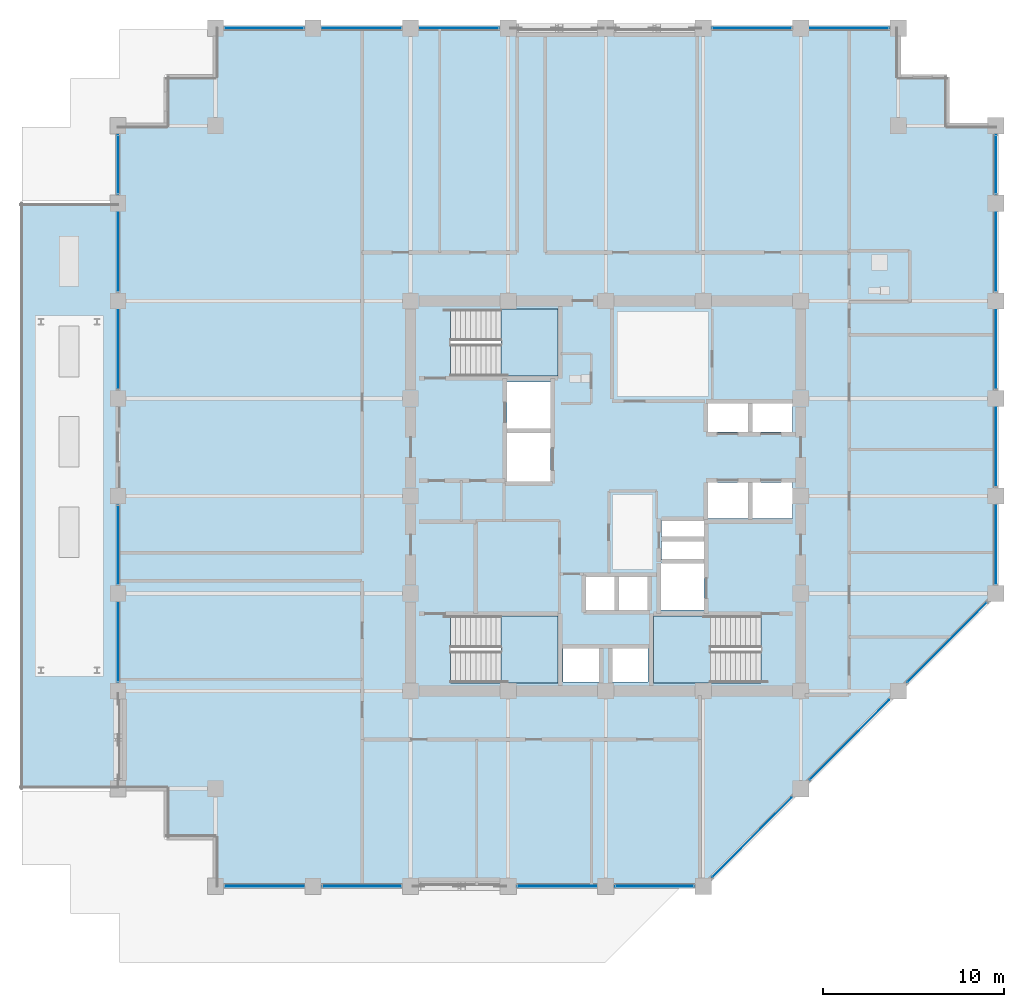
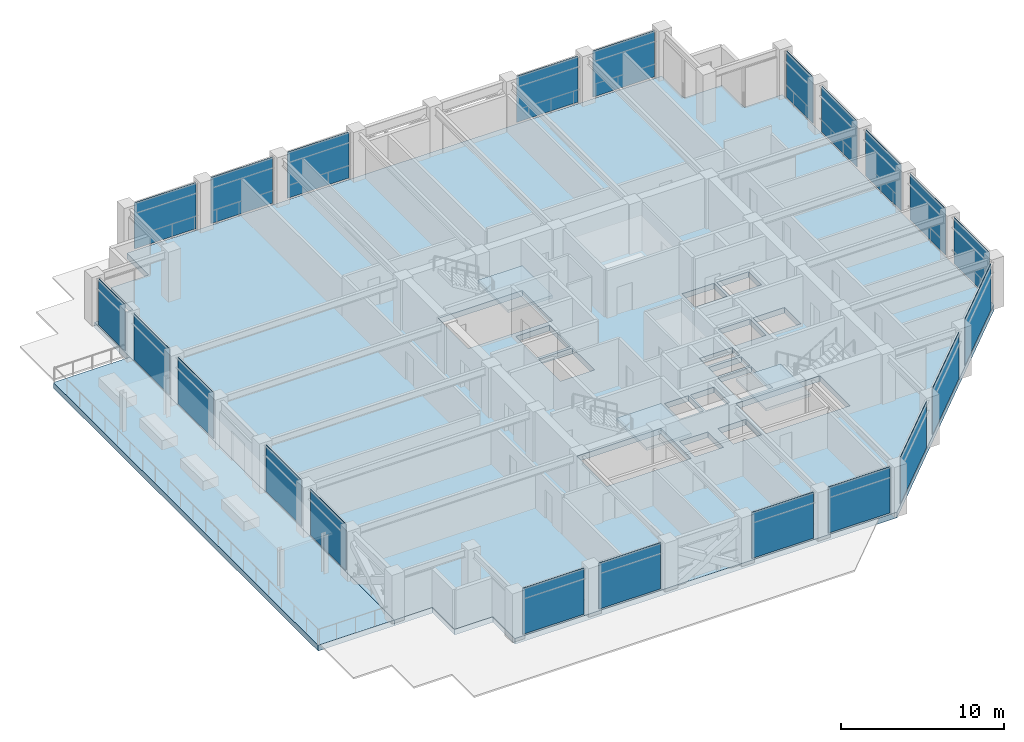
# One storey, part 24 of 36: 22 plates, 5 slabs, 11 elements without a shape of their own.
"""IFC4 building model written with IfcOpenShell, lengths in metres."""

from ifc_helpers import new_model, si_unit, direction, frame, frame_2d, origin, place, context, subcontext, project, spatial, polyline, rectangle, outline, extrude, material, layer, layer_set, type_object, element, aggregate, save


model = new_model("IFC4")

# Units and contexts
model_context = context("Model", 3, precision=1e-05, world=origin(), true_north=direction((0.0, 1.0)))
body_context = subcontext(model_context, "Body", "Model", "MODEL_VIEW")
ifc_project = project(units=[si_unit("LENGTHUNIT", "METRE"), si_unit("AREAUNIT", "SQUARE_METRE"), si_unit("VOLUMEUNIT", "CUBIC_METRE"), si_unit("PLANEANGLEUNIT", "RADIAN"), si_unit("MASSUNIT", "GRAM", prefix="KILO")], contexts=[model_context])

# Site, building, storey
site_placement = place(None, origin())
site = spatial("IfcSite", under=ifc_project, at=site_placement, CompositionType="ELEMENT")
building_placement = place(site_placement, origin())
building = spatial("IfcBuilding", under=site, at=building_placement, Name="Surkhivell Harbour Commons", CompositionType="ELEMENT")
storey_placement = place(building_placement, frame((0.0, 0.0, 171.0)))
storey = spatial("IfcBuildingStorey", under=building, at=storey_placement, Name="L44", CompositionType="ELEMENT", Elevation=171.0)

# Curtain wall, plates
ifc_material_1 = material(Name="Anodised pale-metal aluminium and insulated glazing", Category="aluminium")
ifc_layer_1 = layer(ifc_material_1, 0.18994140625)
ifc_layer_set_1 = layer_set([ifc_layer_1], Name="Anodised pale-metal aluminium and insulated glazing")
curtain_wall_type = type_object("IfcCurtainWallType", Name="CW-SYS-Z3", PredefinedType="NOTDEFINED", material=ifc_layer_set_1)
curtain_wall_1_placement = place(storey_placement, origin())
curtain_wall_1 = element("IfcCurtainWall", 1, at=curtain_wall_1_placement, inside=storey, type_object=curtain_wall_type, Name="L44 Curtain Wall CW-L44-E00S1", PredefinedType="NOTDEFINED")
ifc_material_2 = material(Name="High-pressure typhoon laminated vision glass", Category="glass")
ifc_layer_2 = layer(ifc_material_2, 0.035888671875)
ifc_layer_set_2 = layer_set([ifc_layer_2], Name="High-pressure typhoon laminated vision glass")
plate_type = type_object("IfcPlateType", Name="CWP-GLZ-36", PredefinedType="CURTAIN_PANEL", material=ifc_layer_set_2)
plate_1_placement = place(storey_placement, frame((-21.072998046875, -21.60009765625, 0.1298828125), z_axis=(0.0, 0.0, 1.0), x_axis=(1.0, 0.0, 0.0)))
plate_1 = element("IfcPlate", 2, at=plate_1_placement, type_object=plate_type, Name="CW-Z3 panel 1.1", PredefinedType="CURTAIN_PANEL", context=body_context, shape_type="SweptSolid", body=[
    extrude(rectangle(XDim=4.345947265625, YDim=0.035888671875, at=frame_2d((2.1728515625, 0.0))), origin(), (0.0, 0.0, 1.0), 3.440185546875),
])
plate_2_placement = place(storey_placement, frame((-15.673095703125, -21.60009765625, 0.1298828125), z_axis=(0.0, 0.0, 1.0), x_axis=(1.0, 0.0, 0.0)))
plate_2 = element("IfcPlate", 3, at=plate_2_placement, type_object=plate_type, Name="CW-Z3 panel 2.1", PredefinedType="CURTAIN_PANEL", context=body_context, shape_type="SweptSolid", body=[
    extrude(rectangle(XDim=4.34619140625, YDim=0.035888671875, at=frame_2d((2.173095703125, 0.0))), origin(), (0.0, 0.0, 1.0), 3.440185546875),
])
aggregate(curtain_wall_1, [plate_1, plate_2])

curtain_wall_2_placement = place(storey_placement, origin())
curtain_wall_2 = element("IfcCurtainWall", 4, at=curtain_wall_2_placement, inside=storey, type_object=curtain_wall_type, Name="L44 Curtain Wall CW-L44-E00S2", PredefinedType="NOTDEFINED")
plate_3_placement = place(storey_placement, frame((-4.873046875, -21.60009765625, 0.1298828125), z_axis=(0.0, 0.0, 1.0), x_axis=(1.0, 0.0, 0.0)))
plate_3 = element("IfcPlate", 5, at=plate_3_placement, type_object=plate_type, Name="CW-Z3 panel 1.1", PredefinedType="CURTAIN_PANEL", context=body_context, shape_type="SweptSolid", body=[
    extrude(rectangle(XDim=4.345947265625, YDim=0.035888671875, at=frame_2d((2.1728515625, 0.0))), origin(), (0.0, 0.0, 1.0), 3.440185546875),
])
plate_4_placement = place(storey_placement, frame((0.527099609375, -21.60009765625, 0.1298828125), z_axis=(0.0, 0.0, 1.0), x_axis=(1.0, 0.0, 0.0)))
plate_4 = element("IfcPlate", 6, at=plate_4_placement, type_object=plate_type, Name="CW-Z3 panel 2.1", PredefinedType="CURTAIN_PANEL", context=body_context, shape_type="SweptSolid", body=[
    extrude(rectangle(XDim=4.345947265625, YDim=0.035888671875, at=frame_2d((2.1728515625, 0.0))), origin(), (0.0, 0.0, 1.0), 3.440185546875),
])
aggregate(curtain_wall_2, [plate_3, plate_4])

curtain_wall_3_placement = place(storey_placement, origin())
curtain_wall_3 = element("IfcCurtainWall", 7, at=curtain_wall_3_placement, inside=storey, type_object=curtain_wall_type, Name="L44 Curtain Wall CW-L44-E01", PredefinedType="NOTDEFINED")
plate_5_placement = place(storey_placement, frame((5.90478515625, -21.09521484375, 0.1298828125), z_axis=(0.0, 0.0, 1.0), x_axis=(0.707106781187, 0.707106781187, 0.0)))
plate_5 = element("IfcPlate", 8, at=plate_5_placement, type_object=plate_type, Name="CW-Z3 panel 1.1", PredefinedType="CURTAIN_PANEL", context=body_context, shape_type="SweptSolid", body=[
    extrude(rectangle(XDim=6.209228515625, YDim=0.035888671875, at=frame_2d((3.1044921875, 0.0))), origin(), (0.0, 0.0, 1.0), 3.440185546875),
])
plate_6_placement = place(storey_placement, frame((11.3046875, -15.6953125, 0.1298828125), z_axis=(0.0, 0.0, 1.0), x_axis=(0.707106781187, 0.707106781187, 0.0)))
plate_6 = element("IfcPlate", 9, at=plate_6_placement, type_object=plate_type, Name="CW-Z3 panel 2.1", PredefinedType="CURTAIN_PANEL", context=body_context, shape_type="SweptSolid", body=[
    extrude(rectangle(XDim=6.209228515625, YDim=0.035888671875, at=frame_2d((3.1044921875, 0.0))), origin(), (0.0, 0.0, 1.0), 3.440185546875),
])
plate_7_placement = place(storey_placement, frame((16.70458984375, -10.29541015625, 0.1298828125), z_axis=(0.0, 0.0, 1.0), x_axis=(0.707106781187, 0.707106781187, 0.0)))
plate_7 = element("IfcPlate", 10, at=plate_7_placement, type_object=plate_type, Name="CW-Z3 panel 3.1", PredefinedType="CURTAIN_PANEL", context=body_context, shape_type="SweptSolid", body=[
    extrude(rectangle(XDim=6.209228515625, YDim=0.035888671875, at=frame_2d((3.1044921875, 0.0))), origin(), (0.0, 0.0, 1.0), 3.440185546875),
])
aggregate(curtain_wall_3, [plate_5, plate_6, plate_7])

curtain_wall_4_placement = place(storey_placement, origin())
curtain_wall_4 = element("IfcCurtainWall", 11, at=curtain_wall_4_placement, inside=storey, type_object=curtain_wall_type, Name="L44 Curtain Wall CW-L44-E02", PredefinedType="NOTDEFINED")
plate_8_placement = place(storey_placement, frame((21.60009765625, -4.873046875, 0.1298828125), z_axis=(0.0, 0.0, 1.0), x_axis=(0.0, 1.0, 0.0)))
plate_8 = element("IfcPlate", 12, at=plate_8_placement, type_object=plate_type, Name="CW-Z3 panel 1.1", PredefinedType="CURTAIN_PANEL", context=body_context, shape_type="SweptSolid", body=[
    extrude(rectangle(XDim=4.345947265625, YDim=0.035888671875, at=frame_2d((2.1728515625, 0.0))), origin(), (0.0, 0.0, 1.0), 3.440185546875),
])
plate_9_placement = place(storey_placement, frame((21.60009765625, 0.527099609375, 0.1298828125), z_axis=(0.0, 0.0, 1.0), x_axis=(0.0, 1.0, 0.0)))
plate_9 = element("IfcPlate", 13, at=plate_9_placement, type_object=plate_type, Name="CW-Z3 panel 2.1", PredefinedType="CURTAIN_PANEL", context=body_context, shape_type="SweptSolid", body=[
    extrude(rectangle(XDim=4.345947265625, YDim=0.035888671875, at=frame_2d((2.1728515625, 0.0))), origin(), (0.0, 0.0, 1.0), 3.440185546875),
])
plate_10_placement = place(storey_placement, frame((21.60009765625, 5.927001953125, 0.1298828125), z_axis=(0.0, 0.0, 1.0), x_axis=(0.0, 1.0, 0.0)))
plate_10 = element("IfcPlate", 14, at=plate_10_placement, type_object=plate_type, Name="CW-Z3 panel 3.1", PredefinedType="CURTAIN_PANEL", context=body_context, shape_type="SweptSolid", body=[
    extrude(rectangle(XDim=4.345947265625, YDim=0.035888671875, at=frame_2d((2.1728515625, 0.0))), origin(), (0.0, 0.0, 1.0), 3.440185546875),
])
plate_11_placement = place(storey_placement, frame((21.60009765625, 11.326904296875, 0.1298828125), z_axis=(0.0, 0.0, 1.0), x_axis=(0.0, 1.0, 0.0)))
plate_11 = element("IfcPlate", 15, at=plate_11_placement, type_object=plate_type, Name="CW-Z3 panel 4.1", PredefinedType="CURTAIN_PANEL", context=body_context, shape_type="SweptSolid", body=[
    extrude(rectangle(XDim=4.34619140625, YDim=0.035888671875, at=frame_2d((2.173095703125, 0.0))), origin(), (0.0, 0.0, 1.0), 3.440185546875),
])
plate_12_placement = place(storey_placement, frame((21.60009765625, 16.72705078125, 0.1298828125), z_axis=(0.0, 0.0, 1.0), x_axis=(0.0, 1.0, 0.0)))
plate_12 = element("IfcPlate", 16, at=plate_12_placement, type_object=plate_type, Name="CW-Z3 panel 5.1", PredefinedType="CURTAIN_PANEL", context=body_context, shape_type="SweptSolid", body=[
    extrude(rectangle(XDim=3.245849609375, YDim=0.035888671875, at=frame_2d((1.623046875, 0.0))), origin(), (0.0, 0.0, 1.0), 3.440185546875),
])
aggregate(curtain_wall_4, [plate_8, plate_9, plate_10, plate_11, plate_12])

curtain_wall_5_placement = place(storey_placement, origin())
curtain_wall_5 = element("IfcCurtainWall", 17, at=curtain_wall_5_placement, inside=storey, type_object=curtain_wall_type, Name="L44 Curtain Wall CW-L44-E07S1", PredefinedType="NOTDEFINED")
plate_13_placement = place(storey_placement, frame((15.673095703125, 25.89990234375, 0.1298828125), z_axis=(0.0, 0.0, 1.0), x_axis=(-1.0, 0.0, 0.0)))
plate_13 = element("IfcPlate", 18, at=plate_13_placement, type_object=plate_type, Name="CW-Z3 panel 1.1", PredefinedType="CURTAIN_PANEL", context=body_context, shape_type="SweptSolid", body=[
    extrude(rectangle(XDim=4.34619140625, YDim=0.035888671875, at=frame_2d((2.173095703125, 0.0))), origin(), (0.0, 0.0, 1.0), 3.440185546875),
])
plate_14_placement = place(storey_placement, frame((10.27294921875, 25.89990234375, 0.1298828125), z_axis=(0.0, 0.0, 1.0), x_axis=(-1.0, 0.0, 0.0)))
plate_14 = element("IfcPlate", 19, at=plate_14_placement, type_object=plate_type, Name="CW-Z3 panel 2.1", PredefinedType="CURTAIN_PANEL", context=body_context, shape_type="SweptSolid", body=[
    extrude(rectangle(XDim=4.345947265625, YDim=0.035888671875, at=frame_2d((2.1728515625, 0.0))), origin(), (0.0, 0.0, 1.0), 3.440185546875),
])
aggregate(curtain_wall_5, [plate_13, plate_14])

curtain_wall_6_placement = place(storey_placement, origin())
curtain_wall_6 = element("IfcCurtainWall", 20, at=curtain_wall_6_placement, inside=storey, type_object=curtain_wall_type, Name="L44 Curtain Wall CW-L44-E07S2", PredefinedType="NOTDEFINED")
plate_15_placement = place(storey_placement, frame((-5.927001953125, 25.89990234375, 0.1298828125), z_axis=(0.0, 0.0, 1.0), x_axis=(-1.0, 0.0, 0.0)))
plate_15 = element("IfcPlate", 21, at=plate_15_placement, type_object=plate_type, Name="CW-Z3 panel 1.1", PredefinedType="CURTAIN_PANEL", context=body_context, shape_type="SweptSolid", body=[
    extrude(rectangle(XDim=4.345947265625, YDim=0.035888671875, at=frame_2d((2.1728515625, 0.0))), origin(), (0.0, 0.0, 1.0), 3.440185546875),
])
plate_16_placement = place(storey_placement, frame((-11.326904296875, 25.89990234375, 0.1298828125), z_axis=(0.0, 0.0, 1.0), x_axis=(-1.0, 0.0, 0.0)))
plate_16 = element("IfcPlate", 22, at=plate_16_placement, type_object=plate_type, Name="CW-Z3 panel 2.1", PredefinedType="CURTAIN_PANEL", context=body_context, shape_type="SweptSolid", body=[
    extrude(rectangle(XDim=4.34619140625, YDim=0.035888671875, at=frame_2d((2.173095703125, 0.0))), origin(), (0.0, 0.0, 1.0), 3.440185546875),
])
plate_17_placement = place(storey_placement, frame((-16.72705078125, 25.89990234375, 0.1298828125), z_axis=(0.0, 0.0, 1.0), x_axis=(-1.0, 0.0, 0.0)))
plate_17 = element("IfcPlate", 23, at=plate_17_placement, type_object=plate_type, Name="CW-Z3 panel 3.1", PredefinedType="CURTAIN_PANEL", context=body_context, shape_type="SweptSolid", body=[
    extrude(rectangle(XDim=4.345947265625, YDim=0.035888671875, at=frame_2d((2.1728515625, 0.0))), origin(), (0.0, 0.0, 1.0), 3.440185546875),
])
aggregate(curtain_wall_6, [plate_15, plate_16, plate_17])

curtain_wall_7_placement = place(storey_placement, origin())
curtain_wall_7 = element("IfcCurtainWall", 24, at=curtain_wall_7_placement, inside=storey, type_object=curtain_wall_type, Name="L44 Curtain Wall CW-L44-E12AS1", PredefinedType="NOTDEFINED")
plate_18_placement = place(storey_placement, frame((-27.0, -10.27294921875, 0.1298828125), z_axis=(0.0, 0.0, 1.0), x_axis=(0.0, 1.0, 0.0)))
plate_18 = element("IfcPlate", 25, at=plate_18_placement, type_object=plate_type, Name="CW-Z3 panel 1.1", PredefinedType="CURTAIN_PANEL", context=body_context, shape_type="SweptSolid", body=[
    extrude(rectangle(XDim=4.345947265625, YDim=0.035888671875, at=frame_2d((2.1728515625, 0.0))), origin(), (0.0, 0.0, 1.0), 3.440185546875),
])
plate_19_placement = place(storey_placement, frame((-27.0, -4.873046875, 0.1298828125), z_axis=(0.0, 0.0, 1.0), x_axis=(0.0, 1.0, 0.0)))
plate_19 = element("IfcPlate", 26, at=plate_19_placement, type_object=plate_type, Name="CW-Z3 panel 2.1", PredefinedType="CURTAIN_PANEL", context=body_context, shape_type="SweptSolid", body=[
    extrude(rectangle(XDim=4.345947265625, YDim=0.035888671875, at=frame_2d((2.1728515625, 0.0))), origin(), (0.0, 0.0, 1.0), 3.440185546875),
])
aggregate(curtain_wall_7, [plate_18, plate_19])

curtain_wall_8_placement = place(storey_placement, origin())
curtain_wall_8 = element("IfcCurtainWall", 27, at=curtain_wall_8_placement, inside=storey, type_object=curtain_wall_type, Name="L44 Curtain Wall CW-L44-E12B", PredefinedType="NOTDEFINED")
plate_20_placement = place(storey_placement, frame((-27.0, 5.927001953125, 0.1298828125), z_axis=(0.0, 0.0, 1.0), x_axis=(0.0, 1.0, 0.0)))
plate_20 = element("IfcPlate", 28, at=plate_20_placement, type_object=plate_type, Name="CW-Z3 panel 1.1", PredefinedType="CURTAIN_PANEL", context=body_context, shape_type="SweptSolid", body=[
    extrude(rectangle(XDim=4.345947265625, YDim=0.035888671875, at=frame_2d((2.1728515625, 0.0))), origin(), (0.0, 0.0, 1.0), 3.440185546875),
])
plate_21_placement = place(storey_placement, frame((-27.0, 11.326904296875, 0.1298828125), z_axis=(0.0, 0.0, 1.0), x_axis=(0.0, 1.0, 0.0)))
plate_21 = element("IfcPlate", 29, at=plate_21_placement, type_object=plate_type, Name="CW-Z3 panel 2.1", PredefinedType="CURTAIN_PANEL", context=body_context, shape_type="SweptSolid", body=[
    extrude(rectangle(XDim=4.34619140625, YDim=0.035888671875, at=frame_2d((2.173095703125, 0.0))), origin(), (0.0, 0.0, 1.0), 3.440185546875),
])
plate_22_placement = place(storey_placement, frame((-27.0, 16.72705078125, 0.1298828125), z_axis=(0.0, 0.0, 1.0), x_axis=(0.0, 1.0, 0.0)))
plate_22 = element("IfcPlate", 30, at=plate_22_placement, type_object=plate_type, Name="CW-Z3 panel 3.1", PredefinedType="CURTAIN_PANEL", context=body_context, shape_type="SweptSolid", body=[
    extrude(rectangle(XDim=3.245849609375, YDim=0.035888671875, at=frame_2d((1.623046875, 0.0))), origin(), (0.0, 0.0, 1.0), 3.440185546875),
])
aggregate(curtain_wall_8, [plate_20, plate_21, plate_22])

# Stair, slab
ifc_material_3 = material(Name="Precast concrete C45/55", Category="concrete")
stair_type = type_object("IfcStairType", Name="STR-DL-375", PredefinedType="HALF_TURN_STAIR", material=ifc_material_3)
stair_1_placement = place(storey_placement, origin())
stair_1 = element("IfcStair", 31, at=stair_1_placement, inside=storey, type_object=stair_type, Name="L44 Core Exit Stair ST1", PredefinedType="HALF_TURN_STAIR")
ifc_material_4 = material(Name="Reinforced concrete C45/55", Category="concrete")
ifc_layer_3 = layer(ifc_material_4, 0.199951171875)
ifc_layer_set_3 = layer_set([ifc_layer_3], Name="Reinforced concrete C45/55")
slab_type_1 = type_object("IfcSlabType", Name="SLB-ST-LND200", PredefinedType="LANDING", material=ifc_layer_set_3)
slab_1_placement = place(storey_placement, frame((0.0, 0.0, 1.675048828125)))
slab_1 = element("IfcSlab", 32, at=slab_1_placement, type_object=slab_type_1, Name="ST1 landing 1", PredefinedType="LANDING", context=body_context, shape_type="SweptSolid", body=[
    extrude(outline(polyline([(-5.7900390625, 6.639892578125), (-2.639892578125, 6.639892578125), (-2.639892578125, 10.340087890625), (-5.7900390625, 10.340087890625), (-5.7900390625, 6.639892578125)])), origin(), (0.0, 0.0, 1.0), 0.199951171875),
])
aggregate(stair_1, [slab_1])

stair_2_placement = place(storey_placement, origin())
stair_2 = element("IfcStair", 33, at=stair_2_placement, inside=storey, type_object=stair_type, Name="L44 Core Exit Stair ST2", PredefinedType="HALF_TURN_STAIR")
slab_2_placement = place(storey_placement, frame((0.0, 0.0, 1.675048828125)))
slab_2 = element("IfcSlab", 34, at=slab_2_placement, type_object=slab_type_1, Name="ST2 landing 1", PredefinedType="LANDING", context=body_context, shape_type="SweptSolid", body=[
    extrude(outline(polyline([(5.7900390625, -6.639892578125), (2.639892578125, -6.639892578125), (2.639892578125, -10.340087890625), (5.7900390625, -10.340087890625), (5.7900390625, -6.639892578125)])), origin(), (0.0, 0.0, 1.0), 0.199951171875),
])
aggregate(stair_2, [slab_2])

stair_3_placement = place(storey_placement, origin())
stair_3 = element("IfcStair", 35, at=stair_3_placement, inside=storey, type_object=stair_type, Name="L44 Core Exit Stair ST3", PredefinedType="HALF_TURN_STAIR")
slab_3_placement = place(storey_placement, frame((0.0, 0.0, 1.675048828125)))
slab_3 = element("IfcSlab", 36, at=slab_3_placement, type_object=slab_type_1, Name="ST3 landing 1", PredefinedType="LANDING", context=body_context, shape_type="SweptSolid", body=[
    extrude(outline(polyline([(-5.7900390625, -10.340087890625), (-2.639892578125, -10.340087890625), (-2.639892578125, -6.639892578125), (-5.7900390625, -6.639892578125), (-5.7900390625, -10.340087890625)])), origin(), (0.0, 0.0, 1.0), 0.199951171875),
])
aggregate(stair_3, [slab_3])

# Slabs
ifc_material_5 = material(Name="Concrete C50/60", Category="concrete")
ifc_layer_4 = layer(ifc_material_5, 0.419921875)
ifc_layer_set_4 = layer_set([ifc_layer_4], Name="Concrete C50/60")
slab_type_2 = type_object("IfcSlabType", Name="SLB-TERR-420", PredefinedType="FLOOR", material=ifc_layer_set_4)
slab_4_placement = place(storey_placement, frame((0.0, 0.0, -0.419921875)))
element("IfcSlab", 37, at=slab_4_placement, inside=storey, type_object=slab_type_2, Name="L44 SG-2 West Sky-Garden Terrace", PredefinedType="FLOOR", context=body_context, shape_type="SweptSolid", body=[
    extrude(outline(polyline([(-32.39990234375, -16.199951171875), (-27.0, -16.199951171875), (-27.0, 16.199951171875), (-32.39990234375, 16.199951171875), (-32.39990234375, -16.199951171875)])), origin(), (0.0, 0.0, 1.0), 0.419921875),
])
ifc_material_6 = material(Name="Concrete C45/55", Category="concrete")
ifc_layer_5 = layer(ifc_material_6, 0.179931640625)
ifc_layer_set_5 = layer_set([ifc_layer_5], Name="Concrete C45/55")
slab_type_3 = type_object("IfcSlabType", Name="SLB-TYP-180", PredefinedType="FLOOR", material=ifc_layer_set_5)
slab_5_placement = place(storey_placement, frame((0.0, 0.0, -0.419921875)))
element("IfcSlab", 38, at=slab_5_placement, inside=storey, type_object=slab_type_3, Name="L44 Structural Floor Slab", PredefinedType="FLOOR", context=body_context, shape_type="SweptSolid", body=[
    extrude(outline(polyline([(-21.60009765625, -21.60009765625), (5.39990234375, -21.60009765625), (21.60009765625, -5.39990234375), (21.60009765625, 20.5), (18.89990234375, 20.5), (18.89990234375, 23.199951171875), (16.199951171875, 23.199951171875), (16.199951171875, 25.89990234375), (-21.60009765625, 25.89990234375), (-21.60009765625, 23.199951171875), (-24.300048828125, 23.199951171875), (-24.300048828125, 20.5), (-27.0, 20.5), (-27.0, -16.199951171875), (-24.300048828125, -16.199951171875), (-24.300048828125, -18.89990234375), (-21.60009765625, -18.89990234375), (-21.60009765625, -21.60009765625)]), holes=[polyline([(-8.590087890625, 6.639892578125), (-2.639892578125, 6.639892578125), (-2.639892578125, 10.340087890625), (-8.590087890625, 10.340087890625), (-8.590087890625, 6.639892578125)]), polyline([(8.590087890625, -6.639892578125), (2.639892578125, -6.639892578125), (2.639892578125, -10.340087890625), (8.590087890625, -10.340087890625), (8.590087890625, -6.639892578125)]), polyline([(-8.590087890625, -10.340087890625), (-2.639892578125, -10.340087890625), (-2.639892578125, -6.639892578125), (-8.590087890625, -6.639892578125), (-8.590087890625, -10.340087890625)]), polyline([(5.64990234375, 3.550048828125), (7.89990234375, 3.550048828125), (7.89990234375, 5.14990234375), (5.64990234375, 5.14990234375), (5.64990234375, 3.550048828125)]), polyline([(8.10009765625, 3.550048828125), (10.35009765625, 3.550048828125), (10.35009765625, 5.14990234375), (8.10009765625, 5.14990234375), (8.10009765625, 3.550048828125)]), polyline([(5.64990234375, -1.25), (7.89990234375, -1.25), (7.89990234375, 0.75), (5.64990234375, 0.75), (5.64990234375, -1.25)]), polyline([(8.10009765625, -1.25), (10.35009765625, -1.25), (10.35009765625, 0.75), (8.10009765625, 0.75), (8.10009765625, -1.25)]), polyline([(-1.14990234375, -6.35009765625), (0.550048828125, -6.35009765625), (0.550048828125, -4.449951171875), (-1.14990234375, -4.449951171875), (-1.14990234375, -6.35009765625)]), polyline([(0.679931640625, -6.35009765625), (2.3798828125, -6.35009765625), (2.3798828125, -4.449951171875), (0.679931640625, -4.449951171875), (0.679931640625, -6.35009765625)]), polyline([(-2.35009765625, -10.300048828125), (-0.35009765625, -10.300048828125), (-0.35009765625, -8.39990234375), (-2.35009765625, -8.39990234375), (-2.35009765625, -10.300048828125)]), polyline([(0.35009765625, -10.300048828125), (2.35009765625, -10.300048828125), (2.35009765625, -8.39990234375), (0.35009765625, -8.39990234375), (0.35009765625, -10.300048828125)]), polyline([(-5.449951171875, 3.699951171875), (-3.050048828125, 3.699951171875), (-3.050048828125, 6.300048828125), (-5.449951171875, 6.300048828125), (-5.449951171875, 3.699951171875)]), polyline([(3.050048828125, -6.300048828125), (5.449951171875, -6.300048828125), (5.449951171875, -3.699951171875), (3.050048828125, -3.699951171875), (3.050048828125, -6.300048828125)]), polyline([(-5.449951171875, 0.800048828125), (-3.050048828125, 0.800048828125), (-3.050048828125, 3.5), (-5.449951171875, 3.5), (-5.449951171875, 0.800048828125)]), polyline([(3.10009765625, -3.550048828125), (5.449951171875, -3.550048828125), (5.449951171875, -2.47998046875), (3.10009765625, -2.47998046875), (3.10009765625, -3.550048828125)]), polyline([(3.10009765625, -2.280029296875), (5.449951171875, -2.280029296875), (5.449951171875, -1.35009765625), (3.10009765625, -1.35009765625), (3.10009765625, -2.280029296875)])]), origin(), (0.0, 0.0, 1.0), 0.419921875),
])

save(model, "model.ifc")
